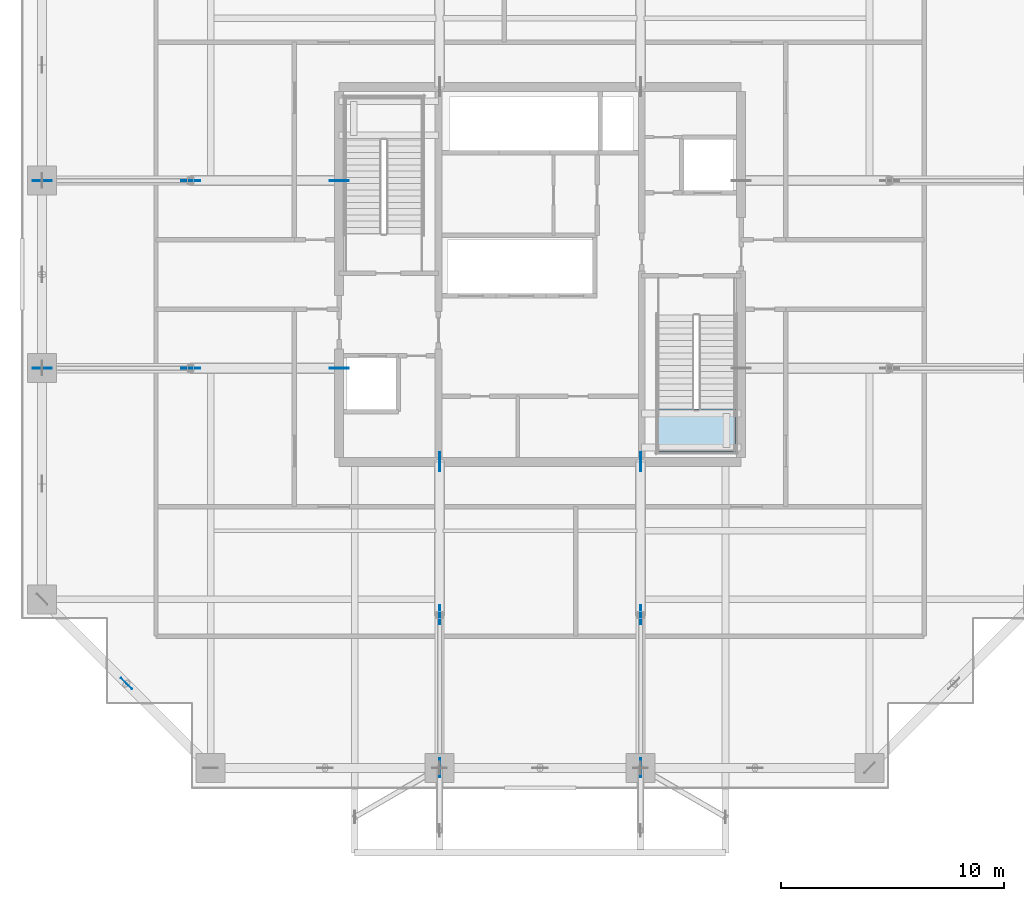
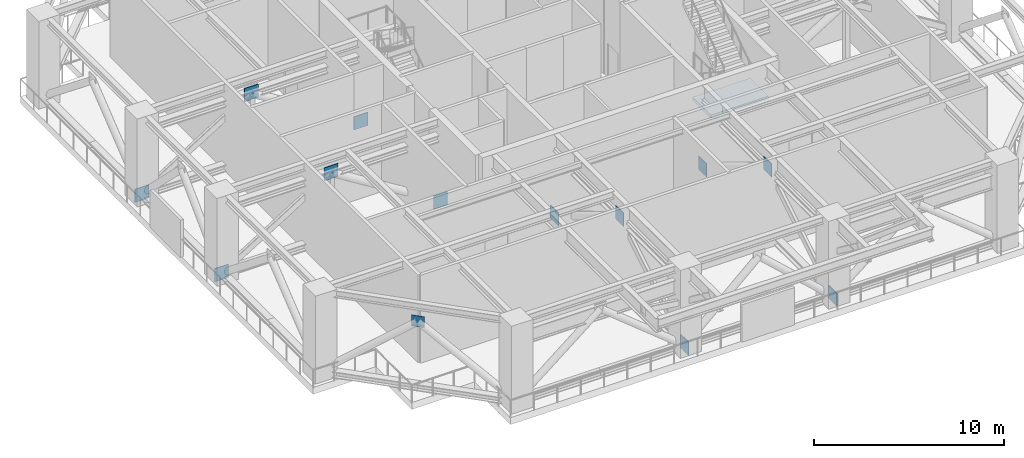
# One storey, part 7 of 22: 13 plates, 1 slab, 1 element without a shape of its own.
"""IFC4 building model written with IfcOpenShell, lengths in metres."""

from ifc_helpers import new_model, si_unit, direction, frame, origin, origin_2d, place, context, subcontext, project, spatial, polyline, rectangle, outline, extrude, source, transform, mapped, material, layer, layer_set, type_object, element, aggregate, save


model = new_model("IFC4")

# Units and contexts
model_context = context("Model", 3, precision=1e-05, world=origin(), true_north=direction((0.0, 1.0)))
body_context = subcontext(model_context, "Body", "Model", "MODEL_VIEW")
ifc_project = project(units=[si_unit("LENGTHUNIT", "METRE"), si_unit("AREAUNIT", "SQUARE_METRE"), si_unit("VOLUMEUNIT", "CUBIC_METRE"), si_unit("PLANEANGLEUNIT", "RADIAN"), si_unit("MASSUNIT", "GRAM", prefix="KILO")], contexts=[model_context])

# Site, building, storey
site_placement = place(None, origin())
site = spatial("IfcSite", under=ifc_project, at=site_placement, CompositionType="ELEMENT")
building_placement = place(site_placement, origin())
building = spatial("IfcBuilding", under=site, at=building_placement, Name="Serunith Strait Residences", CompositionType="ELEMENT")
storey_placement = place(building_placement, frame((0.0, 0.0, 198.89990234375)))
storey = spatial("IfcBuildingStorey", under=building, at=storey_placement, Name="L50", CompositionType="ELEMENT", Elevation=198.89990234375)

# Stair, slab
ifc_material_1 = material(Name="Concrete C50/60", Category="concrete")
stair_type = type_object("IfcStairType", Name="STR-CORE-2", PredefinedType="HALF_TURN_STAIR", material=ifc_material_1)
stair_placement = place(storey_placement, origin())
stair = element("IfcStair", 1, at=stair_placement, inside=storey, type_object=stair_type, Name="L50 Protected Escape Stair ST-2", PredefinedType="HALF_TURN_STAIR")
ifc_layer_1 = layer(ifc_material_1, 0.199951171875, Name="Concrete C50/60")
ifc_layer_set_1 = layer_set([ifc_layer_1], Name="Concrete C50/60")
slab_type = type_object("IfcSlabType", Name="SLB-LAND-200", PredefinedType="LANDING", material=ifc_layer_set_1)
slab_placement = place(storey_placement, frame((0.0, 0.0, 2.800048828125)))
slab = element("IfcSlab", 2, at=slab_placement, type_object=slab_type, Name="ST-2 landing 1", PredefinedType="LANDING", context=body_context, shape_type="SweptSolid", body=[
    extrude(outline(polyline([(37.64990234375, 19.169921875), (37.64990234375, 17.25), (41.14990234375, 17.25), (41.14990234375, 19.169921875), (37.64990234375, 19.169921875)])), origin(), (0.0, 0.0, 1.0), 0.199951171875),
])
aggregate(stair, [slab])

# Plates
ifc_material_2 = material(Name="Steel S460M", Category="steel")
ifc_layer_2 = layer(ifc_material_2, 0.0400390625, Name="Steel S460M")
ifc_layer_set_2 = layer_set([ifc_layer_2], Name="Steel S460M")
plate_type_1 = type_object("IfcPlateType", Name="PLT-GUSSET-40", PredefinedType="USERDEFINED", material=ifc_layer_set_2)
shared_shape_1 = source(origin(), body_context, "Body", "SweptSolid", [
    extrude(rectangle(XDim=0.85009765625, YDim=0.0400390625, at=origin_2d()), origin(), (0.0, 0.0, 1.0), 0.85009765625),
])
for number, where, z_axis, x_axis, name in (
    (3, (27.89990234375, 16.800048828125, -0.175048828125), (0.0, 0.0, 1.0), (0.0, -1.0, 0.0), "L50 Outrigger Gusset Plate ND-05"),
    (4, (27.89990234375, 9.949951171875, 3.965087890625), (0.0, 0.0, 1.0), (0.0, -1.0, 0.0), "L50 Outrigger Gusset Plate ND-05"),
    (5, (27.89990234375, 3.10009765625, -0.175048828125), (0.0, 0.0, 1.0), (0.0, -1.0, 0.0), "L50 Outrigger Gusset Plate ND-05"),
    (6, (36.89990234375, 16.800048828125, -0.175048828125), (0.0, 0.0, 1.0), (0.0, -1.0, 0.0), "L50 Outrigger Gusset Plate ND-05"),
    (7, (36.89990234375, 9.949951171875, 3.965087890625), (0.0, 0.0, 1.0), (0.0, -1.0, 0.0), "L50 Outrigger Gusset Plate ND-05"),
    (8, (36.89990234375, 3.10009765625, -0.175048828125), (0.0, 0.0, 1.0), (0.0, -1.0, 0.0), "L50 Outrigger Gusset Plate ND-05"),
    (9, (23.39990234375, 21.0, -0.175048828125), (0.0, 0.0, 1.0), (-1.0, 0.0, 0.0), "L50 Outrigger Gusset Plate ND-05"),
    (10, (16.75, 21.0, 3.965087890625), (0.0, 0.0, 1.0), (-1.0, 0.0, 0.0), "L50 Outrigger Gusset Plate ND-05"),
    (11, (10.10009765625, 21.0, -0.175048828125), (0.0, 0.0, 1.0), (-1.0, 0.0, 0.0), "L50 Outrigger Gusset Plate ND-05"),
    (12, (23.39990234375, 29.39990234375, -0.175048828125), (0.0, 0.0, 1.0), (-1.0, 0.0, 0.0), "L50 Outrigger Gusset Plate ND-05"),
    (13, (16.75, 29.39990234375, 3.965087890625), (0.0, 0.0, 1.0), (-1.0, 0.0, 0.0), "L50 Outrigger Gusset Plate ND-05"),
    (14, (10.10009765625, 29.39990234375, -0.175048828125), (0.0, 0.0, 1.0), (-1.0, 0.0, 0.0), "L50 Outrigger Gusset Plate ND-05"),
):
    element("IfcPlate", number, at=place(storey_placement, frame(where, z_axis=z_axis, x_axis=x_axis)), inside=storey, type_object=plate_type_1, Name=name, ObjectType="GUSSET_PLATE", PredefinedType="USERDEFINED", context=body_context, shape_type="MappedRepresentation", body=[
        mapped(shared_shape_1, transform((0.0, 0.0, 0.0), scale=1.0)),
    ])
ifc_layer_3 = layer(ifc_material_2, 0.02490234375, Name="Steel S460M")
ifc_layer_set_3 = layer_set([ifc_layer_3], Name="Steel S460M")
plate_type_2 = type_object("IfcPlateType", Name="PLT-CAP-25", PredefinedType="SHEET", material=ifc_layer_set_3)
shared_shape_2 = source(origin(), body_context, "Body", "SweptSolid", [
    extrude(rectangle(XDim=0.699951171875, YDim=0.02490234375, at=origin_2d()), origin(), (0.0, 0.0, 1.0), 0.699951171875),
])
plate_placement = place(storey_placement, frame((13.875, 6.875, 4.0400390625), z_axis=(0.0, 0.0, 1.0), x_axis=(0.707106781187, -0.707106781187, 0.0)))
element("IfcPlate", 15, at=plate_placement, inside=storey, type_object=plate_type_2, Name="L50 Belt Truss Apex Gusset 16", PredefinedType="SHEET", context=body_context, shape_type="MappedRepresentation", body=[
    mapped(shared_shape_2, transform((0.0, 0.0, 0.0), scale=1.0)),
])

save(model, "model.ifc")
